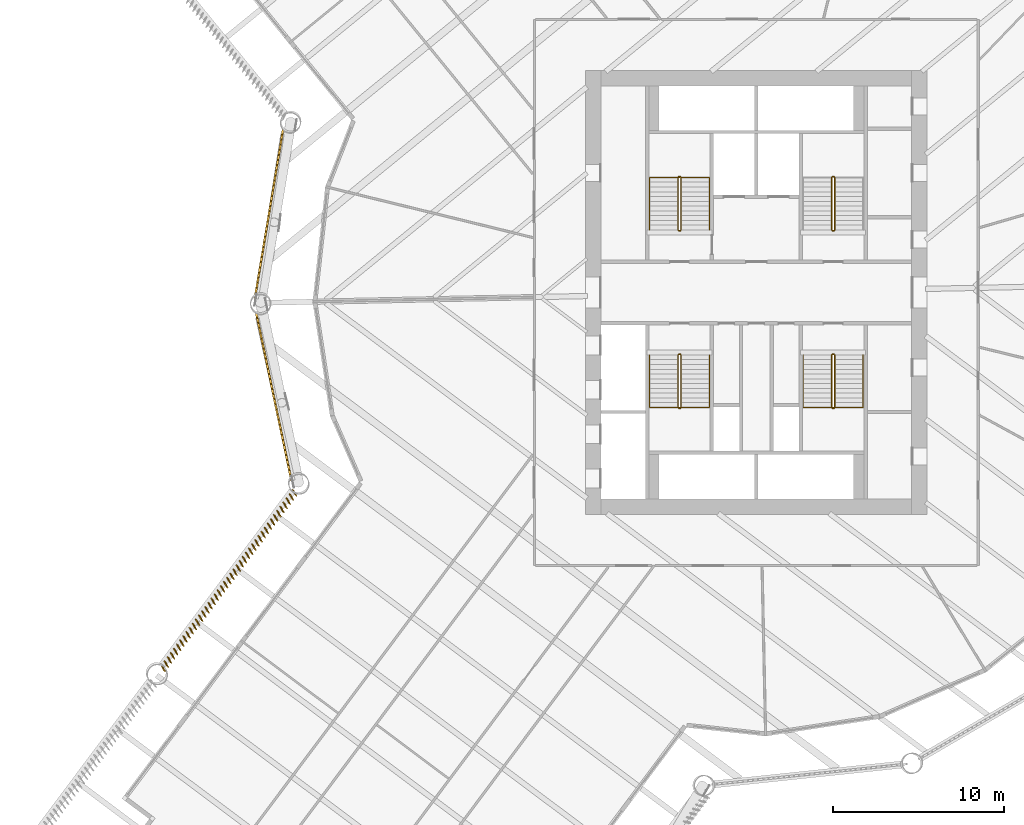
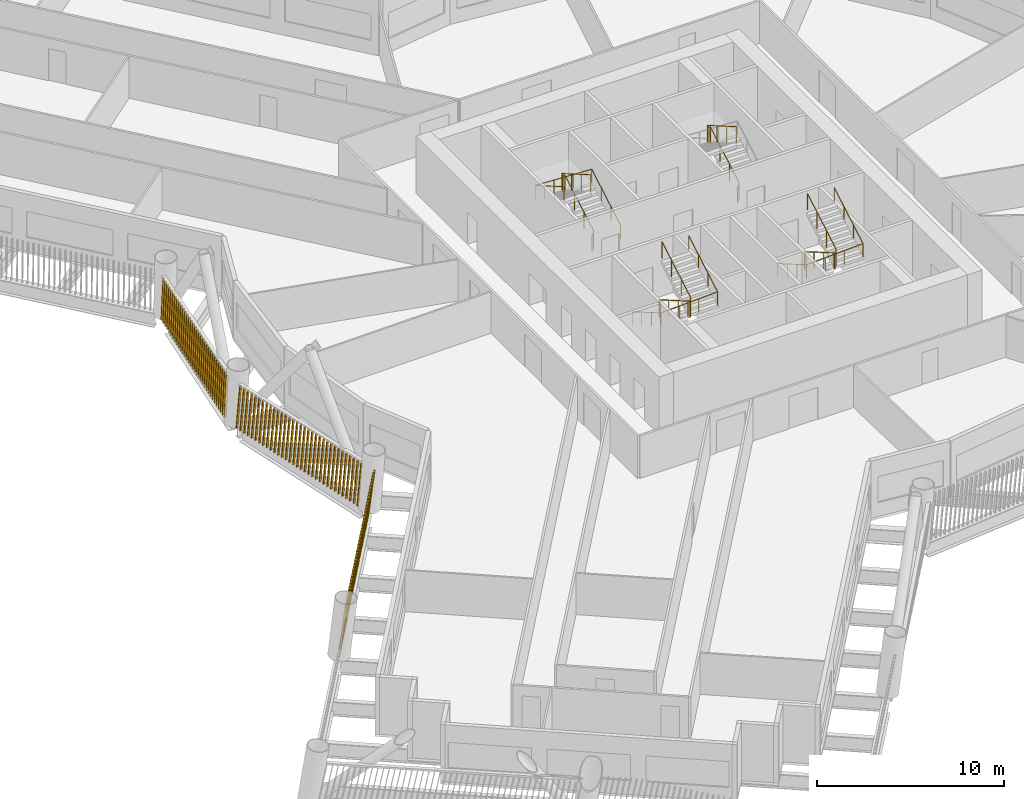
# One storey, part 19 of 22: 7 railings, 3 shading devices.
"""IFC4 building model written with IfcOpenShell, lengths in metres."""

from ifc_helpers import new_model, si_unit, direction, frame, frame_2d, origin, origin_2d, place, context, subcontext, project, spatial, rectangle, circle, composite_profile, extrude, material, type_object, element, save


model = new_model("IFC4")

# Units and contexts
model_context = context("Model", 3, precision=1e-05, world=origin(), true_north=direction((0.0, 1.0)))
body_context = subcontext(model_context, "Body", "Model", "MODEL_VIEW")
ifc_project = project(units=[si_unit("LENGTHUNIT", "METRE"), si_unit("AREAUNIT", "SQUARE_METRE"), si_unit("VOLUMEUNIT", "CUBIC_METRE"), si_unit("PLANEANGLEUNIT", "RADIAN"), si_unit("MASSUNIT", "GRAM", prefix="KILO")], contexts=[model_context])

# Site, building, storey
site_placement = place(None, origin())
site = spatial("IfcSite", under=ifc_project, at=site_placement, CompositionType="ELEMENT")
building_placement = place(site_placement, origin())
building = spatial("IfcBuilding", under=site, at=building_placement, Name="Tarsis Ring Headquarters", CompositionType="ELEMENT")
storey_placement = place(building_placement, frame((0.0, 0.0, 40.0)))
storey = spatial("IfcBuildingStorey", under=building, at=storey_placement, Name="L07", CompositionType="ELEMENT", Elevation=40.0)

# Railings
ifc_material_1 = material(Name="Steel S355", Category="steel")
railing_type_1 = type_object("IfcRailingType", Name="Core stair guard 1100", PredefinedType="GUARDRAIL", material=ifc_material_1)
railing_1_placement = place(storey_placement, frame((-4.5400390625, 3.610107421875, 0.0)))
element("IfcRailing", 1, at=railing_1_placement, inside=storey, type_object=railing_type_1, Name="L07 ST1 stair guard 1", PredefinedType="GUARDRAIL", context=body_context, shape_type="SweptSolid", body=[
    extrude(circle(Radius=0.02392578125, at=origin_2d()), frame((0.0, 0.0, 1.076171875), z_axis=(1.0, 0.0, 0.0), x_axis=(0.0, 1.0, 0.0)), (0.0, 0.0, 1.0), 0.080078125),
    extrude(circle(Radius=0.02392578125, at=origin_2d()), frame((0.080078125, 0.0, 1.076171875), z_axis=(0.282336740067, 0.280959487676, 0.917250092119), x_axis=(-0.705375805398, 0.708833529934, 0.0)), (0.0, 0.0, 1.0), 0.17724609375),
    extrude(circle(Radius=0.02392578125, at=origin_2d()), frame((0.130126953125, 0.0498046875, 1.23876953125), z_axis=(0.0, 0.864920483161, 0.501908913857), x_axis=(-1.0, 0.0, 0.0)), (0.0, 0.0, 1.0), 3.56103515625),
    extrude(circle(Radius=0.02392578125, at=origin_2d()), frame((0.130126953125, 3.1298828125, 3.02587890625), z_axis=(-0.707106781187, 0.707106781187, 0.0), x_axis=(-0.707106781187, -0.707106781187, 0.0)), (0.0, 0.0, 1.0), 0.07080078125),
    extrude(circle(Radius=0.02392578125, at=origin_2d()), frame((0.080078125, 3.179931640625, 3.02587890625), z_axis=(-1.0, 0.0, 0.0), x_axis=(0.0, -1.0, 0.0)), (0.0, 0.0, 1.0), 0.080078125),
    extrude(circle(Radius=0.02392578125, at=origin_2d()), frame((0.0, 3.179931640625, 3.02587890625), z_axis=(-0.282227285176, -0.282227285176, 0.916894497205), x_axis=(0.707106781187, -0.707106781187, 0.0)), (0.0, 0.0, 1.0), 0.17724609375),
    extrude(circle(Radius=0.02392578125, at=origin_2d()), frame((-0.050048828125, 3.1298828125, 3.1884765625), z_axis=(0.0, -0.864920483161, 0.501908913857), x_axis=(1.0, 0.0, 0.0)), (0.0, 0.0, 1.0), 3.56103515625),
    extrude(circle(Radius=0.02099609375, at=origin_2d()), origin(), (0.0, 0.0, 1.0), 1.052001953125),
    extrude(circle(Radius=0.02099609375, at=origin_2d()), frame((0.080078125, 0.0, 0.0)), (0.0, 0.0, 1.0), 1.052001953125),
    extrude(circle(Radius=0.02099609375, at=origin_2d()), frame((0.130126953125, 0.0498046875, 0.16259765625)), (0.0, 0.0, 1.0), 1.052001953125),
    extrude(circle(Radius=0.02099609375, at=origin_2d()), frame((0.130126953125, 1.076416015625, 0.75830078125)), (0.0, 0.0, 1.0), 1.052001953125),
    extrude(circle(Radius=0.02099609375, at=origin_2d()), frame((0.130126953125, 2.103271484375, 1.354248046875)), (0.0, 0.0, 1.0), 1.052001953125),
    extrude(circle(Radius=0.02099609375, at=origin_2d()), frame((0.130126953125, 3.1298828125, 1.949951171875)), (0.0, 0.0, 1.0), 1.052001953125),
    extrude(circle(Radius=0.02099609375, at=origin_2d()), frame((0.080078125, 3.179931640625, 1.949951171875)), (0.0, 0.0, 1.0), 1.052001953125),
    extrude(circle(Radius=0.02099609375, at=origin_2d()), frame((0.0, 3.179931640625, 1.949951171875)), (0.0, 0.0, 1.0), 1.052001953125),
    extrude(circle(Radius=0.02099609375, at=origin_2d()), frame((-0.050048828125, 3.1298828125, 2.112548828125)), (0.0, 0.0, 1.0), 1.052001953125),
    extrude(circle(Radius=0.02099609375, at=origin_2d()), frame((-0.050048828125, 2.103271484375, 2.708251953125)), (0.0, 0.0, 1.0), 1.052001953125),
    extrude(circle(Radius=0.02099609375, at=origin_2d()), frame((-0.050048828125, 1.076416015625, 3.30419921875)), (0.0, 0.0, 1.0), 1.052001953125),
    extrude(circle(Radius=0.02099609375, at=origin_2d()), frame((-0.050048828125, 0.0498046875, 3.89990234375)), (0.0, 0.0, 1.0), 1.052001953125),
])
railing_2_placement = place(storey_placement, frame((4.4599609375, 3.610107421875, 0.0)))
element("IfcRailing", 2, at=railing_2_placement, inside=storey, type_object=railing_type_1, Name="L07 ST2 stair guard 1", PredefinedType="GUARDRAIL", context=body_context, shape_type="SweptSolid", body=[
    extrude(circle(Radius=0.02392578125, at=origin_2d()), frame((0.0, 0.0, 1.076171875), z_axis=(1.0, 0.0, 0.0), x_axis=(0.0, 1.0, 0.0)), (0.0, 0.0, 1.0), 0.080078125),
    extrude(circle(Radius=0.02392578125, at=origin_2d()), frame((0.080078125, 0.0, 1.076171875), z_axis=(0.282336740067, 0.280959487676, 0.917250092119), x_axis=(-0.705375805398, 0.708833529934, 0.0)), (0.0, 0.0, 1.0), 0.17724609375),
    extrude(circle(Radius=0.02392578125, at=origin_2d()), frame((0.130126953125, 0.0498046875, 1.23876953125), z_axis=(0.0, 0.864920483161, 0.501908913857), x_axis=(-1.0, 0.0, 0.0)), (0.0, 0.0, 1.0), 3.56103515625),
    extrude(circle(Radius=0.02392578125, at=origin_2d()), frame((0.130126953125, 3.1298828125, 3.02587890625), z_axis=(-0.707106781187, 0.707106781187, 0.0), x_axis=(-0.707106781187, -0.707106781187, 0.0)), (0.0, 0.0, 1.0), 0.07080078125),
    extrude(circle(Radius=0.02392578125, at=origin_2d()), frame((0.080078125, 3.179931640625, 3.02587890625), z_axis=(-1.0, 0.0, 0.0), x_axis=(0.0, -1.0, 0.0)), (0.0, 0.0, 1.0), 0.080078125),
    extrude(circle(Radius=0.02392578125, at=origin_2d()), frame((0.0, 3.179931640625, 3.02587890625), z_axis=(-0.282227285176, -0.282227285176, 0.916894497205), x_axis=(0.707106781187, -0.707106781187, 0.0)), (0.0, 0.0, 1.0), 0.17724609375),
    extrude(circle(Radius=0.02392578125, at=origin_2d()), frame((-0.050048828125, 3.1298828125, 3.1884765625), z_axis=(0.0, -0.864920483161, 0.501908913857), x_axis=(1.0, 0.0, 0.0)), (0.0, 0.0, 1.0), 3.56103515625),
    extrude(circle(Radius=0.02099609375, at=origin_2d()), origin(), (0.0, 0.0, 1.0), 1.052001953125),
    extrude(circle(Radius=0.02099609375, at=origin_2d()), frame((0.080078125, 0.0, 0.0)), (0.0, 0.0, 1.0), 1.052001953125),
    extrude(circle(Radius=0.02099609375, at=origin_2d()), frame((0.130126953125, 0.0498046875, 0.16259765625)), (0.0, 0.0, 1.0), 1.052001953125),
    extrude(circle(Radius=0.02099609375, at=origin_2d()), frame((0.130126953125, 1.076416015625, 0.75830078125)), (0.0, 0.0, 1.0), 1.052001953125),
    extrude(circle(Radius=0.02099609375, at=origin_2d()), frame((0.130126953125, 2.103271484375, 1.354248046875)), (0.0, 0.0, 1.0), 1.052001953125),
    extrude(circle(Radius=0.02099609375, at=origin_2d()), frame((0.130126953125, 3.1298828125, 1.949951171875)), (0.0, 0.0, 1.0), 1.052001953125),
    extrude(circle(Radius=0.02099609375, at=origin_2d()), frame((0.080078125, 3.179931640625, 1.949951171875)), (0.0, 0.0, 1.0), 1.052001953125),
    extrude(circle(Radius=0.02099609375, at=origin_2d()), frame((0.0, 3.179931640625, 1.949951171875)), (0.0, 0.0, 1.0), 1.052001953125),
    extrude(circle(Radius=0.02099609375, at=origin_2d()), frame((-0.050048828125, 3.1298828125, 2.112548828125)), (0.0, 0.0, 1.0), 1.052001953125),
    extrude(circle(Radius=0.02099609375, at=origin_2d()), frame((-0.050048828125, 2.103271484375, 2.708251953125)), (0.0, 0.0, 1.0), 1.052001953125),
    extrude(circle(Radius=0.02099609375, at=origin_2d()), frame((-0.050048828125, 1.076416015625, 3.30419921875)), (0.0, 0.0, 1.0), 1.052001953125),
    extrude(circle(Radius=0.02099609375, at=origin_2d()), frame((-0.050048828125, 0.0498046875, 3.89990234375)), (0.0, 0.0, 1.0), 1.052001953125),
])
railing_3_placement = place(storey_placement, frame((-4.4599609375, -3.610107421875, 0.0)))
element("IfcRailing", 3, at=railing_3_placement, inside=storey, type_object=railing_type_1, Name="L07 ST3 stair guard 1", PredefinedType="GUARDRAIL", context=body_context, shape_type="SweptSolid", body=[
    extrude(circle(Radius=0.02392578125, at=origin_2d()), frame((0.0, 0.0, 1.076171875), z_axis=(-1.0, 0.0, 0.0), x_axis=(0.0, -1.0, 0.0)), (0.0, 0.0, 1.0), 0.080078125),
    extrude(circle(Radius=0.02392578125, at=origin_2d()), frame((-0.080078125, 0.0, 1.076171875), z_axis=(-0.282336740067, -0.280959487676, 0.917250092119), x_axis=(0.705375805398, -0.708833529934, 0.0)), (0.0, 0.0, 1.0), 0.17724609375),
    extrude(circle(Radius=0.02392578125, at=origin_2d()), frame((-0.130126953125, -0.0498046875, 1.23876953125), z_axis=(0.0, -0.864920483161, 0.501908913857), x_axis=(1.0, 0.0, 0.0)), (0.0, 0.0, 1.0), 3.56103515625),
    extrude(circle(Radius=0.02392578125, at=origin_2d()), frame((-0.130126953125, -3.1298828125, 3.02587890625), z_axis=(0.707106781187, -0.707106781187, 0.0), x_axis=(0.707106781187, 0.707106781187, 0.0)), (0.0, 0.0, 1.0), 0.07080078125),
    extrude(circle(Radius=0.02392578125, at=origin_2d()), frame((-0.080078125, -3.179931640625, 3.02587890625), z_axis=(1.0, 0.0, 0.0), x_axis=(0.0, 1.0, 0.0)), (0.0, 0.0, 1.0), 0.080078125),
    extrude(circle(Radius=0.02392578125, at=origin_2d()), frame((0.0, -3.179931640625, 3.02587890625), z_axis=(0.282227285176, 0.282227285176, 0.916894497205), x_axis=(-0.707106781187, 0.707106781187, 0.0)), (0.0, 0.0, 1.0), 0.17724609375),
    extrude(circle(Radius=0.02392578125, at=origin_2d()), frame((0.050048828125, -3.1298828125, 3.1884765625), z_axis=(0.0, 0.864920483161, 0.501908913857), x_axis=(-1.0, 0.0, 0.0)), (0.0, 0.0, 1.0), 3.56103515625),
    extrude(circle(Radius=0.02099609375, at=origin_2d()), origin(), (0.0, 0.0, 1.0), 1.052001953125),
    extrude(circle(Radius=0.02099609375, at=origin_2d()), frame((-0.080078125, 0.0, 0.0)), (0.0, 0.0, 1.0), 1.052001953125),
    extrude(circle(Radius=0.02099609375, at=origin_2d()), frame((-0.130126953125, -0.0498046875, 0.16259765625)), (0.0, 0.0, 1.0), 1.052001953125),
    extrude(circle(Radius=0.02099609375, at=origin_2d()), frame((-0.130126953125, -1.076416015625, 0.75830078125)), (0.0, 0.0, 1.0), 1.052001953125),
    extrude(circle(Radius=0.02099609375, at=origin_2d()), frame((-0.130126953125, -2.103271484375, 1.354248046875)), (0.0, 0.0, 1.0), 1.052001953125),
    extrude(circle(Radius=0.02099609375, at=origin_2d()), frame((-0.130126953125, -3.1298828125, 1.949951171875)), (0.0, 0.0, 1.0), 1.052001953125),
    extrude(circle(Radius=0.02099609375, at=origin_2d()), frame((-0.080078125, -3.179931640625, 1.949951171875)), (0.0, 0.0, 1.0), 1.052001953125),
    extrude(circle(Radius=0.02099609375, at=origin_2d()), frame((0.0, -3.179931640625, 1.949951171875)), (0.0, 0.0, 1.0), 1.052001953125),
    extrude(circle(Radius=0.02099609375, at=origin_2d()), frame((0.050048828125, -3.1298828125, 2.112548828125)), (0.0, 0.0, 1.0), 1.052001953125),
    extrude(circle(Radius=0.02099609375, at=origin_2d()), frame((0.050048828125, -2.103271484375, 2.708251953125)), (0.0, 0.0, 1.0), 1.052001953125),
    extrude(circle(Radius=0.02099609375, at=origin_2d()), frame((0.050048828125, -1.076416015625, 3.30419921875)), (0.0, 0.0, 1.0), 1.052001953125),
    extrude(circle(Radius=0.02099609375, at=origin_2d()), frame((0.050048828125, -0.0498046875, 3.89990234375)), (0.0, 0.0, 1.0), 1.052001953125),
])
railing_4_placement = place(storey_placement, frame((4.5400390625, -3.610107421875, 0.0)))
element("IfcRailing", 4, at=railing_4_placement, inside=storey, type_object=railing_type_1, Name="L07 ST4 stair guard 1", PredefinedType="GUARDRAIL", context=body_context, shape_type="SweptSolid", body=[
    extrude(circle(Radius=0.02392578125, at=origin_2d()), frame((0.0, 0.0, 1.076171875), z_axis=(-1.0, 0.0, 0.0), x_axis=(0.0, -1.0, 0.0)), (0.0, 0.0, 1.0), 0.080078125),
    extrude(circle(Radius=0.02392578125, at=origin_2d()), frame((-0.080078125, 0.0, 1.076171875), z_axis=(-0.282336740067, -0.280959487676, 0.917250092119), x_axis=(0.705375805398, -0.708833529934, 0.0)), (0.0, 0.0, 1.0), 0.17724609375),
    extrude(circle(Radius=0.02392578125, at=origin_2d()), frame((-0.130126953125, -0.0498046875, 1.23876953125), z_axis=(0.0, -0.864920483161, 0.501908913857), x_axis=(1.0, 0.0, 0.0)), (0.0, 0.0, 1.0), 3.56103515625),
    extrude(circle(Radius=0.02392578125, at=origin_2d()), frame((-0.130126953125, -3.1298828125, 3.02587890625), z_axis=(0.707106781187, -0.707106781187, 0.0), x_axis=(0.707106781187, 0.707106781187, 0.0)), (0.0, 0.0, 1.0), 0.07080078125),
    extrude(circle(Radius=0.02392578125, at=origin_2d()), frame((-0.080078125, -3.179931640625, 3.02587890625), z_axis=(1.0, 0.0, 0.0), x_axis=(0.0, 1.0, 0.0)), (0.0, 0.0, 1.0), 0.080078125),
    extrude(circle(Radius=0.02392578125, at=origin_2d()), frame((0.0, -3.179931640625, 3.02587890625), z_axis=(0.282227285176, 0.282227285176, 0.916894497205), x_axis=(-0.707106781187, 0.707106781187, 0.0)), (0.0, 0.0, 1.0), 0.17724609375),
    extrude(circle(Radius=0.02392578125, at=origin_2d()), frame((0.050048828125, -3.1298828125, 3.1884765625), z_axis=(0.0, 0.864920483161, 0.501908913857), x_axis=(-1.0, 0.0, 0.0)), (0.0, 0.0, 1.0), 3.56103515625),
    extrude(circle(Radius=0.02099609375, at=origin_2d()), origin(), (0.0, 0.0, 1.0), 1.052001953125),
    extrude(circle(Radius=0.02099609375, at=origin_2d()), frame((-0.080078125, 0.0, 0.0)), (0.0, 0.0, 1.0), 1.052001953125),
    extrude(circle(Radius=0.02099609375, at=origin_2d()), frame((-0.130126953125, -0.0498046875, 0.16259765625)), (0.0, 0.0, 1.0), 1.052001953125),
    extrude(circle(Radius=0.02099609375, at=origin_2d()), frame((-0.130126953125, -1.076416015625, 0.75830078125)), (0.0, 0.0, 1.0), 1.052001953125),
    extrude(circle(Radius=0.02099609375, at=origin_2d()), frame((-0.130126953125, -2.103271484375, 1.354248046875)), (0.0, 0.0, 1.0), 1.052001953125),
    extrude(circle(Radius=0.02099609375, at=origin_2d()), frame((-0.130126953125, -3.1298828125, 1.949951171875)), (0.0, 0.0, 1.0), 1.052001953125),
    extrude(circle(Radius=0.02099609375, at=origin_2d()), frame((-0.080078125, -3.179931640625, 1.949951171875)), (0.0, 0.0, 1.0), 1.052001953125),
    extrude(circle(Radius=0.02099609375, at=origin_2d()), frame((0.0, -3.179931640625, 1.949951171875)), (0.0, 0.0, 1.0), 1.052001953125),
    extrude(circle(Radius=0.02099609375, at=origin_2d()), frame((0.050048828125, -3.1298828125, 2.112548828125)), (0.0, 0.0, 1.0), 1.052001953125),
    extrude(circle(Radius=0.02099609375, at=origin_2d()), frame((0.050048828125, -2.103271484375, 2.708251953125)), (0.0, 0.0, 1.0), 1.052001953125),
    extrude(circle(Radius=0.02099609375, at=origin_2d()), frame((0.050048828125, -1.076416015625, 3.30419921875)), (0.0, 0.0, 1.0), 1.052001953125),
    extrude(circle(Radius=0.02099609375, at=origin_2d()), frame((0.050048828125, -0.0498046875, 3.89990234375)), (0.0, 0.0, 1.0), 1.052001953125),
])
railing_type_2 = type_object("IfcRailingType", Name="Core stair handrail 900", PredefinedType="HANDRAIL", material=ifc_material_1)
railing_5_placement = place(storey_placement, frame((-2.75, 3.659912109375, 0.16259765625)))
element("IfcRailing", 5, at=railing_5_placement, inside=storey, type_object=railing_type_2, Name="L07 ST1 stair handrail 1", PredefinedType="HANDRAIL", context=body_context, shape_type="SweptSolid", body=[
    extrude(circle(Radius=0.02392578125, at=origin_2d()), frame((0.0, 0.0, 0.8759765625), z_axis=(0.0, 0.864920483161, 0.501908913857), x_axis=(-1.0, 0.0, 0.0)), (0.0, 0.0, 1.0), 3.56103515625),
    extrude(circle(Radius=0.02392578125, at=origin_2d()), frame((0.0, 3.080078125, 2.6630859375), z_axis=(-0.998922641604, 0.0, 0.046406422943), x_axis=(0.0, -1.0, 0.0)), (0.0, 0.0, 1.0), 3.503662109375),
    extrude(circle(Radius=0.02392578125, at=origin_2d()), frame((-3.5, 3.080078125, 2.82568359375), z_axis=(0.0, -0.864920483161, 0.501908913857), x_axis=(1.0, 0.0, 0.0)), (0.0, 0.0, 1.0), 3.56103515625),
    extrude(circle(Radius=0.02099609375, at=origin_2d()), origin(), (0.0, 0.0, 1.0), 0.851806640625),
    extrude(circle(Radius=0.02099609375, at=origin_2d()), frame((0.0, 1.026611328125, 0.595703125)), (0.0, 0.0, 1.0), 0.851806640625),
    extrude(circle(Radius=0.02099609375, at=origin_2d()), frame((0.0, 2.053466796875, 1.191650390625)), (0.0, 0.0, 1.0), 0.851806640625),
    extrude(circle(Radius=0.02099609375, at=origin_2d()), frame((0.0, 3.080078125, 1.787353515625)), (0.0, 0.0, 1.0), 0.851806640625),
    extrude(circle(Radius=0.02099609375, at=origin_2d()), frame((-1.166748046875, 3.080078125, 1.841552734375)), (0.0, 0.0, 1.0), 0.851806640625),
    extrude(circle(Radius=0.02099609375, at=origin_2d()), frame((-2.333251953125, 3.080078125, 1.895751953125)), (0.0, 0.0, 1.0), 0.851806640625),
    extrude(circle(Radius=0.02099609375, at=origin_2d()), frame((-3.5, 3.080078125, 1.949951171875)), (0.0, 0.0, 1.0), 0.851806640625),
    extrude(circle(Radius=0.02099609375, at=origin_2d()), frame((-3.5, 2.053466796875, 2.545654296875)), (0.0, 0.0, 1.0), 0.851806640625),
    extrude(circle(Radius=0.02099609375, at=origin_2d()), frame((-3.5, 1.026611328125, 3.1416015625)), (0.0, 0.0, 1.0), 0.851806640625),
    extrude(circle(Radius=0.02099609375, at=origin_2d()), frame((-3.5, 0.0, 3.7373046875)), (0.0, 0.0, 1.0), 0.851806640625),
])
railing_6_placement = place(storey_placement, frame((-6.25, -3.659912109375, 0.16259765625)))
element("IfcRailing", 6, at=railing_6_placement, inside=storey, type_object=railing_type_2, Name="L07 ST3 stair handrail 1", PredefinedType="HANDRAIL", context=body_context, shape_type="SweptSolid", body=[
    extrude(circle(Radius=0.02392578125, at=origin_2d()), frame((0.0, 0.0, 0.8759765625), z_axis=(0.0, -0.864920483161, 0.501908913857), x_axis=(1.0, 0.0, 0.0)), (0.0, 0.0, 1.0), 3.56103515625),
    extrude(circle(Radius=0.02392578125, at=origin_2d()), frame((0.0, -3.080078125, 2.6630859375), z_axis=(0.998922641604, 0.0, 0.046406422943), x_axis=(0.0, 1.0, 0.0)), (0.0, 0.0, 1.0), 3.503662109375),
    extrude(circle(Radius=0.02392578125, at=origin_2d()), frame((3.5, -3.080078125, 2.82568359375), z_axis=(0.0, 0.864920483161, 0.501908913857), x_axis=(-1.0, 0.0, 0.0)), (0.0, 0.0, 1.0), 3.56103515625),
    extrude(circle(Radius=0.02099609375, at=origin_2d()), origin(), (0.0, 0.0, 1.0), 0.851806640625),
    extrude(circle(Radius=0.02099609375, at=origin_2d()), frame((0.0, -1.026611328125, 0.595703125)), (0.0, 0.0, 1.0), 0.851806640625),
    extrude(circle(Radius=0.02099609375, at=origin_2d()), frame((0.0, -2.053466796875, 1.191650390625)), (0.0, 0.0, 1.0), 0.851806640625),
    extrude(circle(Radius=0.02099609375, at=origin_2d()), frame((0.0, -3.080078125, 1.787353515625)), (0.0, 0.0, 1.0), 0.851806640625),
    extrude(circle(Radius=0.02099609375, at=origin_2d()), frame((1.166748046875, -3.080078125, 1.841552734375)), (0.0, 0.0, 1.0), 0.851806640625),
    extrude(circle(Radius=0.02099609375, at=origin_2d()), frame((2.333251953125, -3.080078125, 1.895751953125)), (0.0, 0.0, 1.0), 0.851806640625),
    extrude(circle(Radius=0.02099609375, at=origin_2d()), frame((3.5, -3.080078125, 1.949951171875)), (0.0, 0.0, 1.0), 0.851806640625),
    extrude(circle(Radius=0.02099609375, at=origin_2d()), frame((3.5, -2.053466796875, 2.545654296875)), (0.0, 0.0, 1.0), 0.851806640625),
    extrude(circle(Radius=0.02099609375, at=origin_2d()), frame((3.5, -1.026611328125, 3.1416015625)), (0.0, 0.0, 1.0), 0.851806640625),
    extrude(circle(Radius=0.02099609375, at=origin_2d()), frame((3.5, 0.0, 3.7373046875)), (0.0, 0.0, 1.0), 0.851806640625),
])
railing_7_placement = place(storey_placement, frame((2.75, -3.659912109375, 0.16259765625)))
element("IfcRailing", 7, at=railing_7_placement, inside=storey, type_object=railing_type_2, Name="L07 ST4 stair handrail 1", PredefinedType="HANDRAIL", context=body_context, shape_type="SweptSolid", body=[
    extrude(circle(Radius=0.02392578125, at=origin_2d()), frame((0.0, 0.0, 0.8759765625), z_axis=(0.0, -0.864920483161, 0.501908913857), x_axis=(1.0, 0.0, 0.0)), (0.0, 0.0, 1.0), 3.56103515625),
    extrude(circle(Radius=0.02392578125, at=origin_2d()), frame((0.0, -3.080078125, 2.6630859375), z_axis=(0.998922641604, 0.0, 0.046406422943), x_axis=(0.0, 1.0, 0.0)), (0.0, 0.0, 1.0), 3.503662109375),
    extrude(circle(Radius=0.02392578125, at=origin_2d()), frame((3.5, -3.080078125, 2.82568359375), z_axis=(0.0, 0.864920483161, 0.501908913857), x_axis=(-1.0, 0.0, 0.0)), (0.0, 0.0, 1.0), 3.56103515625),
    extrude(circle(Radius=0.02099609375, at=origin_2d()), origin(), (0.0, 0.0, 1.0), 0.851806640625),
    extrude(circle(Radius=0.02099609375, at=origin_2d()), frame((0.0, -1.026611328125, 0.595703125)), (0.0, 0.0, 1.0), 0.851806640625),
    extrude(circle(Radius=0.02099609375, at=origin_2d()), frame((0.0, -2.053466796875, 1.191650390625)), (0.0, 0.0, 1.0), 0.851806640625),
    extrude(circle(Radius=0.02099609375, at=origin_2d()), frame((0.0, -3.080078125, 1.787353515625)), (0.0, 0.0, 1.0), 0.851806640625),
    extrude(circle(Radius=0.02099609375, at=origin_2d()), frame((1.166748046875, -3.080078125, 1.841552734375)), (0.0, 0.0, 1.0), 0.851806640625),
    extrude(circle(Radius=0.02099609375, at=origin_2d()), frame((2.333251953125, -3.080078125, 1.895751953125)), (0.0, 0.0, 1.0), 0.851806640625),
    extrude(circle(Radius=0.02099609375, at=origin_2d()), frame((3.5, -3.080078125, 1.949951171875)), (0.0, 0.0, 1.0), 0.851806640625),
    extrude(circle(Radius=0.02099609375, at=origin_2d()), frame((3.5, -2.053466796875, 2.545654296875)), (0.0, 0.0, 1.0), 0.851806640625),
    extrude(circle(Radius=0.02099609375, at=origin_2d()), frame((3.5, -1.026611328125, 3.1416015625)), (0.0, 0.0, 1.0), 0.851806640625),
    extrude(circle(Radius=0.02099609375, at=origin_2d()), frame((3.5, 0.0, 3.7373046875)), (0.0, 0.0, 1.0), 0.851806640625),
])

# Shading devices
ifc_material_2 = material(Name="Terracotta baguette", Category="masonry")
shading_device_type = type_object("IfcShadingDeviceType", Name="Terracotta baguette screen", PredefinedType="USERDEFINED", material=ifc_material_2)
shading_device_1_placement = place(storey_placement, frame((-29.30615234375, -1.1748046875, 0.0), z_axis=(0.0, 0.0, 1.0), x_axis=(0.205946283573, -0.978563397876, 0.0)))
element("IfcShadingDevice", 8, at=shading_device_1_placement, inside=storey, type_object=shading_device_type, Name="Baguette screen L07-00", ObjectType="Terracotta baguette screen", PredefinedType="USERDEFINED", context=body_context, shape_type="SweptSolid", body=[
    extrude(composite_profile([rectangle(XDim=0.06005859375, YDim=0.1201171875, at=frame_2d((0.030029296875, 0.0))), rectangle(XDim=0.06005859375, YDim=0.1201171875, at=frame_2d((0.33349609375, 0.0))), rectangle(XDim=0.06005859375, YDim=0.1201171875, at=frame_2d((0.636962890625, 0.0))), rectangle(XDim=0.06005859375, YDim=0.1201171875, at=frame_2d((0.9404296875, 0.0))), rectangle(XDim=0.06005859375, YDim=0.1201171875, at=frame_2d((1.243896484375, 0.0))), rectangle(XDim=0.06005859375, YDim=0.1201171875, at=frame_2d((1.54736328125, 0.0))), rectangle(XDim=0.06005859375, YDim=0.1201171875, at=frame_2d((1.85107421875, 0.0))), rectangle(XDim=0.06005859375, YDim=0.1201171875, at=frame_2d((2.154541015625, 0.0))), rectangle(XDim=0.06005859375, YDim=0.1201171875, at=frame_2d((2.4580078125, 0.0))), rectangle(XDim=0.06005859375, YDim=0.1201171875, at=frame_2d((2.761474609375, 0.0))), rectangle(XDim=0.06005859375, YDim=0.1201171875, at=frame_2d((3.06494140625, 0.0))), rectangle(XDim=0.06005859375, YDim=0.1201171875, at=frame_2d((3.368408203125, 0.0))), rectangle(XDim=0.06005859375, YDim=0.1201171875, at=frame_2d((3.671875, 0.0))), rectangle(XDim=0.06005859375, YDim=0.1201171875, at=frame_2d((3.975341796875, 0.0))), rectangle(XDim=0.06005859375, YDim=0.1201171875, at=frame_2d((4.27880859375, 0.0))), rectangle(XDim=0.06005859375, YDim=0.1201171875, at=frame_2d((4.582275390625, 0.0))), rectangle(XDim=0.06005859375, YDim=0.1201171875, at=frame_2d((4.8857421875, 0.0))), rectangle(XDim=0.06005859375, YDim=0.1201171875, at=frame_2d((5.189453125, 0.0))), rectangle(XDim=0.06005859375, YDim=0.1201171875, at=frame_2d((5.492919921875, 0.0))), rectangle(XDim=0.06005859375, YDim=0.1201171875, at=frame_2d((5.79638671875, 0.0))), rectangle(XDim=0.06005859375, YDim=0.1201171875, at=frame_2d((6.099853515625, 0.0))), rectangle(XDim=0.06005859375, YDim=0.1201171875, at=frame_2d((6.4033203125, 0.0))), rectangle(XDim=0.06005859375, YDim=0.1201171875, at=frame_2d((6.706787109375, 0.0))), rectangle(XDim=0.06005859375, YDim=0.1201171875, at=frame_2d((7.01025390625, 0.0))), rectangle(XDim=0.06005859375, YDim=0.1201171875, at=frame_2d((7.313720703125, 0.0))), rectangle(XDim=0.06005859375, YDim=0.1201171875, at=frame_2d((7.6171875, 0.0))), rectangle(XDim=0.06005859375, YDim=0.1201171875, at=frame_2d((7.920654296875, 0.0))), rectangle(XDim=0.06005859375, YDim=0.1201171875, at=frame_2d((8.224365234375, 0.0))), rectangle(XDim=0.06005859375, YDim=0.1201171875, at=frame_2d((8.52783203125, 0.0))), rectangle(XDim=0.06005859375, YDim=0.1201171875, at=frame_2d((8.831298828125, 0.0))), rectangle(XDim=0.06005859375, YDim=0.1201171875, at=frame_2d((9.134765625, 0.0))), rectangle(XDim=0.06005859375, YDim=0.1201171875, at=frame_2d((9.438232421875, 0.0))), rectangle(XDim=0.06005859375, YDim=0.1201171875, at=frame_2d((9.74169921875, 0.0)))]), origin(), (0.102031589638, 0.000534575069, 0.994781015574), 2.968017578125),
])
shading_device_2_placement = place(storey_placement, frame((-27.123291015625, -11.549560546875, 0.0), z_axis=(0.0, 0.0, 1.0), x_axis=(-0.599019830457, -0.800730396609, 0.0)))
element("IfcShadingDevice", 9, at=shading_device_2_placement, inside=storey, type_object=shading_device_type, Name="Baguette screen L07-01", ObjectType="Terracotta baguette screen", PredefinedType="USERDEFINED", context=body_context, shape_type="SweptSolid", body=[
    extrude(composite_profile([rectangle(XDim=0.06005859375, YDim=0.1201171875, at=frame_2d((0.030029296875, 0.0))), rectangle(XDim=0.06005859375, YDim=0.1201171875, at=frame_2d((0.335693359375, 0.0))), rectangle(XDim=0.06005859375, YDim=0.1201171875, at=frame_2d((0.6416015625, 0.0))), rectangle(XDim=0.06005859375, YDim=0.1201171875, at=frame_2d((0.947265625, 0.0))), rectangle(XDim=0.06005859375, YDim=0.1201171875, at=frame_2d((1.253173828125, 0.0))), rectangle(XDim=0.06005859375, YDim=0.1201171875, at=frame_2d((1.558837890625, 0.0))), rectangle(XDim=0.06005859375, YDim=0.1201171875, at=frame_2d((1.864501953125, 0.0))), rectangle(XDim=0.06005859375, YDim=0.1201171875, at=frame_2d((2.17041015625, 0.0))), rectangle(XDim=0.06005859375, YDim=0.1201171875, at=frame_2d((2.47607421875, 0.0))), rectangle(XDim=0.06005859375, YDim=0.1201171875, at=frame_2d((2.781982421875, 0.0))), rectangle(XDim=0.06005859375, YDim=0.1201171875, at=frame_2d((3.087646484375, 0.0))), rectangle(XDim=0.06005859375, YDim=0.1201171875, at=frame_2d((3.393310546875, 0.0))), rectangle(XDim=0.06005859375, YDim=0.1201171875, at=frame_2d((3.69921875, 0.0))), rectangle(XDim=0.06005859375, YDim=0.1201171875, at=frame_2d((4.0048828125, 0.0))), rectangle(XDim=0.06005859375, YDim=0.1201171875, at=frame_2d((4.310791015625, 0.0))), rectangle(XDim=0.06005859375, YDim=0.1201171875, at=frame_2d((4.616455078125, 0.0))), rectangle(XDim=0.06005859375, YDim=0.1201171875, at=frame_2d((4.922119140625, 0.0))), rectangle(XDim=0.06005859375, YDim=0.1201171875, at=frame_2d((5.22802734375, 0.0))), rectangle(XDim=0.06005859375, YDim=0.1201171875, at=frame_2d((5.53369140625, 0.0))), rectangle(XDim=0.06005859375, YDim=0.1201171875, at=frame_2d((5.839599609375, 0.0))), rectangle(XDim=0.06005859375, YDim=0.1201171875, at=frame_2d((6.145263671875, 0.0))), rectangle(XDim=0.06005859375, YDim=0.1201171875, at=frame_2d((6.451171875, 0.0))), rectangle(XDim=0.06005859375, YDim=0.1201171875, at=frame_2d((6.7568359375, 0.0))), rectangle(XDim=0.06005859375, YDim=0.1201171875, at=frame_2d((7.0625, 0.0))), rectangle(XDim=0.06005859375, YDim=0.1201171875, at=frame_2d((7.368408203125, 0.0))), rectangle(XDim=0.06005859375, YDim=0.1201171875, at=frame_2d((7.674072265625, 0.0))), rectangle(XDim=0.06005859375, YDim=0.1201171875, at=frame_2d((7.97998046875, 0.0))), rectangle(XDim=0.06005859375, YDim=0.1201171875, at=frame_2d((8.28564453125, 0.0))), rectangle(XDim=0.06005859375, YDim=0.1201171875, at=frame_2d((8.59130859375, 0.0))), rectangle(XDim=0.06005859375, YDim=0.1201171875, at=frame_2d((8.897216796875, 0.0))), rectangle(XDim=0.06005859375, YDim=0.1201171875, at=frame_2d((9.202880859375, 0.0))), rectangle(XDim=0.06005859375, YDim=0.1201171875, at=frame_2d((9.5087890625, 0.0))), rectangle(XDim=0.06005859375, YDim=0.1201171875, at=frame_2d((9.814453125, 0.0))), rectangle(XDim=0.06005859375, YDim=0.1201171875, at=frame_2d((10.1201171875, 0.0))), rectangle(XDim=0.06005859375, YDim=0.1201171875, at=frame_2d((10.426025390625, 0.0))), rectangle(XDim=0.06005859375, YDim=0.1201171875, at=frame_2d((10.731689453125, 0.0))), rectangle(XDim=0.06005859375, YDim=0.1201171875, at=frame_2d((11.03759765625, 0.0))), rectangle(XDim=0.06005859375, YDim=0.1201171875, at=frame_2d((11.34326171875, 0.0))), rectangle(XDim=0.06005859375, YDim=0.1201171875, at=frame_2d((11.64892578125, 0.0))), rectangle(XDim=0.06005859375, YDim=0.1201171875, at=frame_2d((11.954833984375, 0.0))), rectangle(XDim=0.06005859375, YDim=0.1201171875, at=frame_2d((12.260498046875, 0.0))), rectangle(XDim=0.06005859375, YDim=0.1201171875, at=frame_2d((12.56640625, 0.0))), rectangle(XDim=0.06005859375, YDim=0.1201171875, at=frame_2d((12.8720703125, 0.0)))]), origin(), (0.051496453686, 0.112700561767, 0.992293655444), 2.9755859375),
])
shading_device_3_placement = place(storey_placement, frame((-27.71923828125, 9.584716796875, 0.0), z_axis=(0.0, 0.0, 1.0), x_axis=(-0.164797001874, -0.986333541537, 0.0)))
element("IfcShadingDevice", 10, at=shading_device_3_placement, inside=storey, type_object=shading_device_type, Name="Baguette screen L07-21", ObjectType="Terracotta baguette screen", PredefinedType="USERDEFINED", context=body_context, shape_type="SweptSolid", body=[
    extrude(composite_profile([rectangle(XDim=0.06005859375, YDim=0.1201171875, at=frame_2d((0.030029296875, 0.0))), rectangle(XDim=0.06005859375, YDim=0.1201171875, at=frame_2d((0.33349609375, 0.0))), rectangle(XDim=0.06005859375, YDim=0.1201171875, at=frame_2d((0.636962890625, 0.0))), rectangle(XDim=0.06005859375, YDim=0.1201171875, at=frame_2d((0.9404296875, 0.0))), rectangle(XDim=0.06005859375, YDim=0.1201171875, at=frame_2d((1.243896484375, 0.0))), rectangle(XDim=0.06005859375, YDim=0.1201171875, at=frame_2d((1.54736328125, 0.0))), rectangle(XDim=0.06005859375, YDim=0.1201171875, at=frame_2d((1.85107421875, 0.0))), rectangle(XDim=0.06005859375, YDim=0.1201171875, at=frame_2d((2.154541015625, 0.0))), rectangle(XDim=0.06005859375, YDim=0.1201171875, at=frame_2d((2.4580078125, 0.0))), rectangle(XDim=0.06005859375, YDim=0.1201171875, at=frame_2d((2.761474609375, 0.0))), rectangle(XDim=0.06005859375, YDim=0.1201171875, at=frame_2d((3.06494140625, 0.0))), rectangle(XDim=0.06005859375, YDim=0.1201171875, at=frame_2d((3.368408203125, 0.0))), rectangle(XDim=0.06005859375, YDim=0.1201171875, at=frame_2d((3.671875, 0.0))), rectangle(XDim=0.06005859375, YDim=0.1201171875, at=frame_2d((3.975341796875, 0.0))), rectangle(XDim=0.06005859375, YDim=0.1201171875, at=frame_2d((4.27880859375, 0.0))), rectangle(XDim=0.06005859375, YDim=0.1201171875, at=frame_2d((4.582275390625, 0.0))), rectangle(XDim=0.06005859375, YDim=0.1201171875, at=frame_2d((4.8857421875, 0.0))), rectangle(XDim=0.06005859375, YDim=0.1201171875, at=frame_2d((5.189453125, 0.0))), rectangle(XDim=0.06005859375, YDim=0.1201171875, at=frame_2d((5.492919921875, 0.0))), rectangle(XDim=0.06005859375, YDim=0.1201171875, at=frame_2d((5.79638671875, 0.0))), rectangle(XDim=0.06005859375, YDim=0.1201171875, at=frame_2d((6.099853515625, 0.0))), rectangle(XDim=0.06005859375, YDim=0.1201171875, at=frame_2d((6.4033203125, 0.0))), rectangle(XDim=0.06005859375, YDim=0.1201171875, at=frame_2d((6.706787109375, 0.0))), rectangle(XDim=0.06005859375, YDim=0.1201171875, at=frame_2d((7.01025390625, 0.0))), rectangle(XDim=0.06005859375, YDim=0.1201171875, at=frame_2d((7.313720703125, 0.0))), rectangle(XDim=0.06005859375, YDim=0.1201171875, at=frame_2d((7.6171875, 0.0))), rectangle(XDim=0.06005859375, YDim=0.1201171875, at=frame_2d((7.920654296875, 0.0))), rectangle(XDim=0.06005859375, YDim=0.1201171875, at=frame_2d((8.224365234375, 0.0))), rectangle(XDim=0.06005859375, YDim=0.1201171875, at=frame_2d((8.52783203125, 0.0))), rectangle(XDim=0.06005859375, YDim=0.1201171875, at=frame_2d((8.831298828125, 0.0))), rectangle(XDim=0.06005859375, YDim=0.1201171875, at=frame_2d((9.134765625, 0.0))), rectangle(XDim=0.06005859375, YDim=0.1201171875, at=frame_2d((9.438232421875, 0.0))), rectangle(XDim=0.06005859375, YDim=0.1201171875, at=frame_2d((9.74169921875, 0.0)))]), origin(), (0.102032230801, 0.000535024564, 0.99478094957), 2.968017578125),
])

save(model, "model.ifc")
